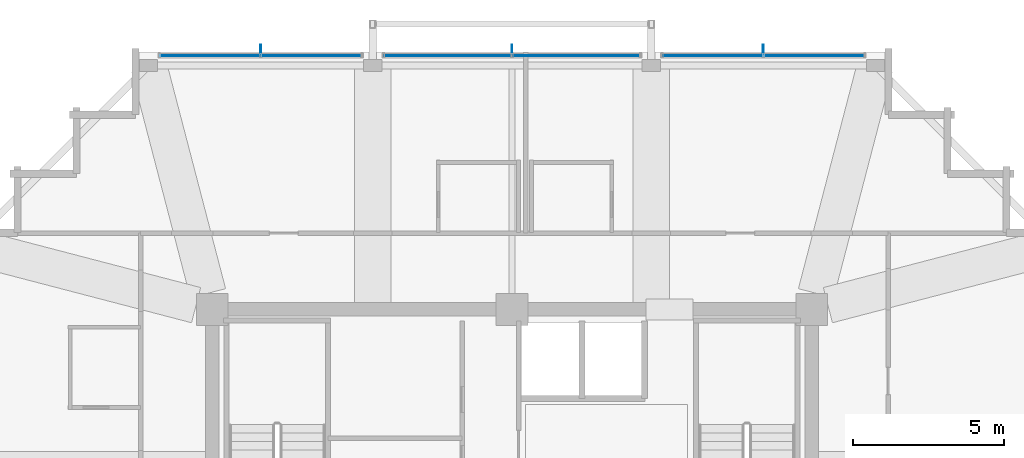
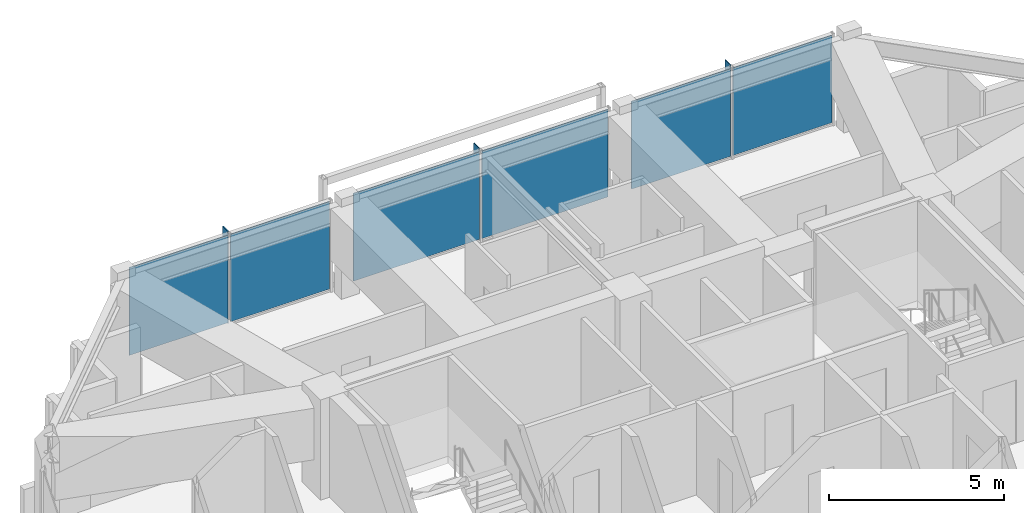
# One storey, part 25 of 30: 9 plates, 3 elements without a shape of their own.
"""IFC4 building model written with IfcOpenShell, lengths in metres."""

import ifcopenshell
import ifcopenshell.guid

model = None  # the IFC model being written
_history = None  # IfcOwnerHistory: only IFC2X3 demands one
_inside = {}  # id of a spatial element -> (the spatial element, [elements in it])
_under = {}  # id of a project, library or spatial element -> (it, [spatial elements below it])
_declared = {}  # id of a project -> (the project, [libraries it declares])
_typed = {}  # id of a type object -> (the type object, [elements of that type])
_made_of = {}  # id of a material, layer set ... -> (it, [elements and type objects made of it])


def new_model(schema):
    """Start an empty IFC model of exactly this schema.

    Asked for "IFC4X3", IfcOpenShell would pick the latest addendum, in which some entities
    have other attributes; the version numbers below select the first issue.
    IFC2X3 requires an IfcOwnerHistory on every rooted entity: one is made here for all.
    """
    global model, _history
    if schema == "IFC4X3":
        model = ifcopenshell.file(schema_version=(4, 3, 0, 0))
    else:
        model = ifcopenshell.file(schema=schema)
    _inside.clear()
    _under.clear()
    _declared.clear()
    _typed.clear()
    _made_of.clear()
    _history = None
    if model.schema == "IFC2X3":
        org = make("IfcOrganization", Name="unknown")
        user = make(
            "IfcPersonAndOrganization",
            ThePerson=make("IfcPerson", FamilyName="unknown"),
            TheOrganization=org,
        )
        app = make(
            "IfcApplication",
            ApplicationDeveloper=org,
            Version="unknown",
            ApplicationFullName="unknown",
            ApplicationIdentifier="unknown",
        )
        _history = make(
            "IfcOwnerHistory",
            OwningUser=user,
            OwningApplication=app,
            ChangeAction="ADDED",
            CreationDate=0,
        )
    return model


def make(cls, **values):
    """One entity of the class cls with the attributes given. An attribute that is None is left unset."""
    return model.create_entity(
        cls, **{name: value for name, value in values.items() if value is not None}
    )


def rooted(cls, **values):
    """An entity with a GlobalId (a new one), such as an element, a storey or a relation."""
    return make(cls, GlobalId=ifcopenshell.guid.new(), OwnerHistory=_history, **values)


def si_unit(unit_type, name, prefix=None):
    """IfcSIUnit, for example si_unit("LENGTHUNIT", "METRE", prefix="MILLI")."""
    return make("IfcSIUnit", UnitType=unit_type, Prefix=prefix, Name=name)


def assignment(units):
    """IfcUnitAssignment: the units of a project."""
    return None if units is None else make("IfcUnitAssignment", Units=units)


def point(xyz):
    """IfcCartesianPoint."""
    return None if xyz is None else make("IfcCartesianPoint", Coordinates=xyz)


def direction(xyz):
    """IfcDirection."""
    return None if xyz is None else make("IfcDirection", DirectionRatios=xyz)


def frame(location, z_axis=None, x_axis=None):
    """IfcAxis2Placement3D, a coordinate frame: its origin and axes. An axis left out is left unset."""
    return make(
        "IfcAxis2Placement3D",
        Location=point(location),
        Axis=direction(z_axis),
        RefDirection=direction(x_axis),
    )


def frame_2d(location, x_axis=None):
    """IfcAxis2Placement2D, a coordinate frame in the plane: its origin and x axis."""
    return make(
        "IfcAxis2Placement2D", Location=point(location), RefDirection=direction(x_axis)
    )


def origin():
    """The frame at (0, 0, 0) with its axes left unset."""
    return frame((0.0, 0.0, 0.0))


def origin_2d():
    """The frame at (0, 0) in the plane with its x axis left unset."""
    return frame_2d((0.0, 0.0))


def place(relative_to, where):
    """IfcLocalPlacement: puts the frame where relative to a parent placement (None: the world)."""
    return make(
        "IfcLocalPlacement", PlacementRelTo=relative_to, RelativePlacement=where
    )


def context(
    kind, dimensions, precision=None, world=None, true_north=None, identifier=None
):
    """IfcGeometricRepresentationContext, for example the 3D "Model" context."""
    return make(
        "IfcGeometricRepresentationContext",
        ContextIdentifier=identifier,
        ContextType=kind,
        CoordinateSpaceDimension=dimensions,
        Precision=precision,
        WorldCoordinateSystem=world,
        TrueNorth=true_north,
    )


def subcontext(parent, identifier, kind, view, scale=None):
    """IfcGeometricRepresentationSubContext, for example "Body" below "Model"."""
    return make(
        "IfcGeometricRepresentationSubContext",
        ContextIdentifier=identifier,
        ContextType=kind,
        ParentContext=parent,
        TargetScale=scale,
        TargetView=view,
    )


def project(units=None, contexts=None):
    """IfcProject with its units and contexts."""
    return rooted(
        "IfcProject",
        Name="project",
        RepresentationContexts=contexts,
        UnitsInContext=assignment(units),
    )


def spatial(cls, under=None, at=None, **own):
    """A site, building, storey or space (cls), placed at a placement, below another one or the project."""
    s = rooted(cls, ObjectPlacement=at, **own)
    if under is not None:
        _under.setdefault(under.id(), (under, []))[1].append(s)
    return s


def profile(cls, at=None, kind="AREA", **sizes):
    """A parametric profile (cls). Its sizes go by their IFC names, for example OverallWidth=200.0."""
    return make(cls, ProfileType=kind, Position=at, **sizes)


def rectangle(**sizes):
    """IfcRectangleProfileDef."""
    return profile("IfcRectangleProfileDef", **sizes)


def extrude(swept, where, along, depth):
    """IfcExtrudedAreaSolid: the profile swept, set in the frame where, extruded along a direction by depth."""
    return make(
        "IfcExtrudedAreaSolid",
        SweptArea=swept,
        Position=where,
        ExtrudedDirection=direction(along),
        Depth=depth,
    )


def shape(context_of_items, identifier, shape_type, items):
    """IfcShapeRepresentation: the items that make up one representation, for example the "Body"."""
    return make(
        "IfcShapeRepresentation",
        ContextOfItems=context_of_items,
        RepresentationIdentifier=identifier,
        RepresentationType=shape_type,
        Items=items,
    )


def material(Name=None, Category=None):
    """IfcMaterial."""
    return make("IfcMaterial", Name=Name, Category=Category)


def layer(
    of_material, thickness, ventilated=None, Name=None, Category=None, Priority=None
):
    """IfcMaterialLayer: one layer of a wall or slab, of a material (None: an air gap)."""
    return make(
        "IfcMaterialLayer",
        Material=of_material,
        LayerThickness=thickness,
        IsVentilated=ventilated,
        Name=Name,
        Category=Category,
        Priority=Priority,
    )


def layer_set(layers, Name=None):
    """IfcMaterialLayerSet."""
    return make("IfcMaterialLayerSet", MaterialLayers=layers, LayerSetName=Name)


def made_of(thing, what):
    """Note that an element or type object is made of a material, layer set ...; save() writes the relation."""
    if what is not None:
        _made_of.setdefault(what.id(), (what, []))[1].append(thing)
    return thing


def type_object(cls, material=None, **own):
    """A type object (cls), such as IfcWallType, which elements share."""
    return made_of(rooted(cls, **own), material)


def element(
    cls,
    number,
    at=None,
    inside=None,
    cuts=None,
    type_object=None,
    material=None,
    context=None,
    identifier="Body",
    shape_type=None,
    held_by="IfcProductDefinitionShape",
    body=None,
    shapes=None,
    **own,
):
    """One element of the class cls, such as IfcWall. Its Tag is "e" and its number.

    at: its placement. inside: the storey or other place that contains it. cuts: it is an
    opening in that element (IfcRelVoidsElement). A single representation is given by context,
    identifier, shape_type and body (its items); several are given by shapes. held_by: the class
    of the entity that holds the representations. save() writes the other relations.
    """
    e = rooted(cls, Tag="e%d" % number, ObjectPlacement=at, **own)
    if body is not None:
        shapes = [shape(context, identifier, shape_type, body)]
    if shapes is not None:
        e.Representation = make(held_by, Representations=shapes)
    if inside is not None:
        _inside.setdefault(inside.id(), (inside, []))[1].append(e)
    if cuts is not None:
        rooted(
            "IfcRelVoidsElement", RelatingBuildingElement=cuts, RelatedOpeningElement=e
        )
    if type_object is not None:
        _typed.setdefault(type_object.id(), (type_object, []))[1].append(e)
    return made_of(e, material)


def aggregate(whole, parts):
    """IfcRelAggregates: a whole, such as a stair, and the parts it consists of."""
    return rooted("IfcRelAggregates", RelatingObject=whole, RelatedObjects=parts)


def save(model, path):
    """Write the relations noted so far, then the file.

    IfcRelAggregates (storeys below a building ...), IfcRelContainedInSpatialStructure (elements
    in a storey), IfcRelDefinesByType, IfcRelAssociatesMaterial and IfcRelDeclares: one each for
    every whole, place, type object, material and project.
    """
    for whole, parts in _under.values():
        aggregate(whole, parts)
    for where, things in _inside.values():
        rooted(
            "IfcRelContainedInSpatialStructure",
            RelatedElements=things,
            RelatingStructure=where,
        )
    for kind, things in _typed.values():
        rooted("IfcRelDefinesByType", RelatedObjects=things, RelatingType=kind)
    for what, things in _made_of.values():
        rooted("IfcRelAssociatesMaterial", RelatedObjects=things, RelatingMaterial=what)
    for by, libraries in _declared.values():
        rooted("IfcRelDeclares", RelatingContext=by, RelatedDefinitions=libraries)
    model.write(path)


model = new_model("IFC4")

# Units and contexts
model_context = context("Model", 3, precision=1e-05, world=origin(), true_north=direction((0.0, 1.0)))
body_context = subcontext(model_context, "Body", "Model", "MODEL_VIEW")
ifc_project = project(units=[si_unit("LENGTHUNIT", "METRE"), si_unit("AREAUNIT", "SQUARE_METRE"), si_unit("VOLUMEUNIT", "CUBIC_METRE"), si_unit("PLANEANGLEUNIT", "RADIAN"), si_unit("MASSUNIT", "GRAM", prefix="KILO")], contexts=[model_context])

# Site, building, storey
site_placement = place(None, origin())
site = spatial("IfcSite", under=ifc_project, at=site_placement, CompositionType="ELEMENT")
building_placement = place(site_placement, origin())
building = spatial("IfcBuilding", under=site, at=building_placement, Name="Kolvaren Belvedere", CompositionType="ELEMENT")
storey_placement = place(building_placement, frame((0.0, 0.0, 254.89990234375)))
storey = spatial("IfcBuildingStorey", under=building, at=storey_placement, Name="L74", CompositionType="ELEMENT", Elevation=254.89990234375)

# Curtain wall, plates
ifc_material_1 = material(Name="Anodised pale-metal aluminium AA 6063-T6", Category="aluminium")
curtain_wall_type = type_object("IfcCurtainWallType", Name="CW-Z5-HIGH", PredefinedType="NOTDEFINED", material=ifc_material_1)
curtain_wall_1_placement = place(storey_placement, origin())
curtain_wall_1 = element("IfcCurtainWall", 1, at=curtain_wall_1_placement, inside=storey, type_object=curtain_wall_type, Name="L74 Unitised Curtain Wall FCW-L74-N-B1", PredefinedType="NOTDEFINED")
ifc_material_2 = material(Name="Low-iron triple insulated glass", Category="glass")
ifc_layer_1 = layer(ifc_material_2, 0.028076171875)
ifc_layer_set_1 = layer_set([ifc_layer_1], Name="Low-iron triple insulated glass")
plate_type_1 = type_object("IfcPlateType", Name="CW-PNL-VIS28", PredefinedType="CURTAIN_PANEL", material=ifc_layer_set_1)
plate_1_placement = place(storey_placement, frame((-9.972412109375, 18.280029296875, 0.080078125), z_axis=(0.0, 0.0, 1.0), x_axis=(1.0, 0.0, 0.0)))
plate_1 = element("IfcPlate", 2, at=plate_1_placement, type_object=plate_type_1, Name="FCW-L74-N-B1 Vision Glazing Panel 1", PredefinedType="CURTAIN_PANEL", context=body_context, shape_type="SweptSolid", body=[
    extrude(rectangle(XDim=3.264892578125, YDim=0.028076171875, at=origin_2d()), origin(), (0.0, 0.0, 1.0), 3.06005859375),
])
plate_2_placement = place(storey_placement, frame((-6.62744140625, 18.280029296875, 0.080078125), z_axis=(0.0, 0.0, 1.0), x_axis=(1.0, 0.0, 0.0)))
plate_2 = element("IfcPlate", 3, at=plate_2_placement, type_object=plate_type_1, Name="FCW-L74-N-B1 Vision Glazing Panel 2", PredefinedType="CURTAIN_PANEL", context=body_context, shape_type="SweptSolid", body=[
    extrude(rectangle(XDim=3.264892578125, YDim=0.028076171875, at=origin_2d()), origin(), (0.0, 0.0, 1.0), 3.06005859375),
])
aggregate(curtain_wall_1, [plate_1, plate_2])

curtain_wall_2_placement = place(storey_placement, origin())
curtain_wall_2 = element("IfcCurtainWall", 4, at=curtain_wall_2_placement, inside=storey, type_object=curtain_wall_type, Name="L74 Unitised Curtain Wall FCW-L74-N-B2", PredefinedType="NOTDEFINED")
plate_3_placement = place(storey_placement, frame((-2.12255859375, 18.280029296875, 0.080078125), z_axis=(0.0, 0.0, 1.0), x_axis=(1.0, 0.0, 0.0)))
plate_3 = element("IfcPlate", 5, at=plate_3_placement, type_object=plate_type_1, Name="FCW-L74-N-B2 Vision Glazing Panel 1", PredefinedType="CURTAIN_PANEL", context=body_context, shape_type="SweptSolid", body=[
    extrude(rectangle(XDim=4.1650390625, YDim=0.028076171875, at=origin_2d()), origin(), (0.0, 0.0, 1.0), 3.06005859375),
])
plate_4_placement = place(storey_placement, frame((2.12255859375, 18.280029296875, 0.080078125), z_axis=(0.0, 0.0, 1.0), x_axis=(1.0, 0.0, 0.0)))
plate_4 = element("IfcPlate", 6, at=plate_4_placement, type_object=plate_type_1, Name="FCW-L74-N-B2 Vision Glazing Panel 2", PredefinedType="CURTAIN_PANEL", context=body_context, shape_type="SweptSolid", body=[
    extrude(rectangle(XDim=4.1650390625, YDim=0.028076171875, at=origin_2d()), origin(), (0.0, 0.0, 1.0), 3.06005859375),
])
aggregate(curtain_wall_2, [plate_3, plate_4])

curtain_wall_3_placement = place(storey_placement, origin())
curtain_wall_3 = element("IfcCurtainWall", 7, at=curtain_wall_3_placement, inside=storey, type_object=curtain_wall_type, Name="L74 Unitised Curtain Wall FCW-L74-N-B3", PredefinedType="NOTDEFINED")
plate_5_placement = place(storey_placement, frame((6.62744140625, 18.280029296875, 0.080078125), z_axis=(0.0, 0.0, 1.0), x_axis=(1.0, 0.0, 0.0)))
plate_5 = element("IfcPlate", 8, at=plate_5_placement, type_object=plate_type_1, Name="FCW-L74-N-B3 Vision Glazing Panel 1", PredefinedType="CURTAIN_PANEL", context=body_context, shape_type="SweptSolid", body=[
    extrude(rectangle(XDim=3.264892578125, YDim=0.028076171875, at=origin_2d()), origin(), (0.0, 0.0, 1.0), 3.06005859375),
])
plate_6_placement = place(storey_placement, frame((9.972412109375, 18.280029296875, 0.080078125), z_axis=(0.0, 0.0, 1.0), x_axis=(1.0, 0.0, 0.0)))
plate_6 = element("IfcPlate", 9, at=plate_6_placement, type_object=plate_type_1, Name="FCW-L74-N-B3 Vision Glazing Panel 2", PredefinedType="CURTAIN_PANEL", context=body_context, shape_type="SweptSolid", body=[
    extrude(rectangle(XDim=3.264892578125, YDim=0.028076171875, at=origin_2d()), origin(), (0.0, 0.0, 1.0), 3.06005859375),
])
aggregate(curtain_wall_3, [plate_5, plate_6])

# Plates
ifc_material_3 = material(Name="Anodised pale-metal aluminium AA 6063-T6", Category="aluminium")
ifc_layer_2 = layer(ifc_material_3, 0.030029296875)
ifc_layer_set_2 = layer_set([ifc_layer_2], Name="Anodised pale-metal aluminium AA 6063-T6")
plate_type_2 = type_object("IfcPlateType", Name="FIN-VERT-300", PredefinedType="USERDEFINED", material=ifc_layer_set_2)
for number, where, z_axis, x_axis, name in (
    (10, (-8.300048828125, 18.489990234375, 0.0), (0.0, 0.0, 1.0), (0.0, 1.0, 0.0), "L74 Pale-Metal Vertical Shading Fin FCW-L74-N-B1-1"),
    (11, (0.0, 18.489990234375, 0.0), (0.0, 0.0, 1.0), (0.0, 1.0, 0.0), "L74 Pale-Metal Vertical Shading Fin FCW-L74-N-B2-1"),
    (12, (8.300048828125, 18.489990234375, 0.0), (0.0, 0.0, 1.0), (0.0, 1.0, 0.0), "L74 Pale-Metal Vertical Shading Fin FCW-L74-N-B3-1"),
):
    element("IfcPlate", number, at=place(storey_placement, frame(where, z_axis=z_axis, x_axis=x_axis)), inside=storey, type_object=plate_type_2, Name=name, ObjectType="VERTICAL FIN", PredefinedType="USERDEFINED", context=body_context, shape_type="SweptSolid", body=[
        extrude(rectangle(XDim=0.300048828125, YDim=0.030029296875, at=origin_2d()), origin(), (0.0, 0.0, 1.0), 3.219970703125),
    ])

save(model, "model.ifc")
